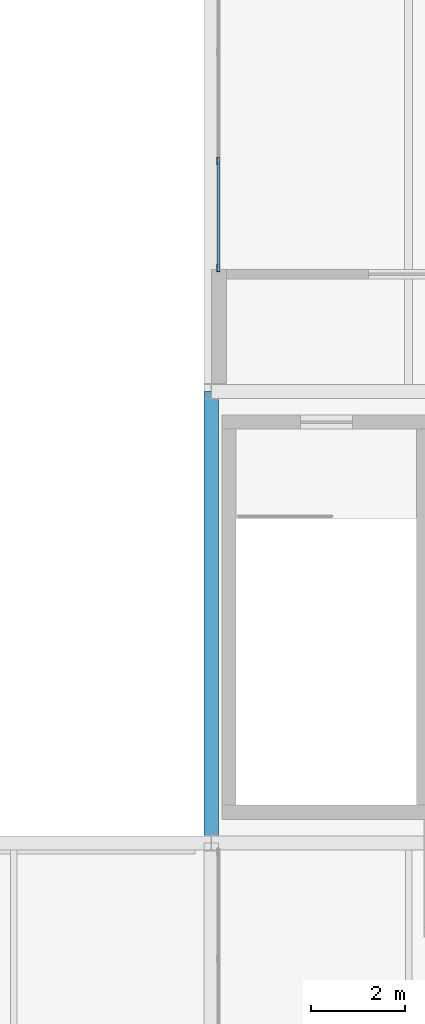
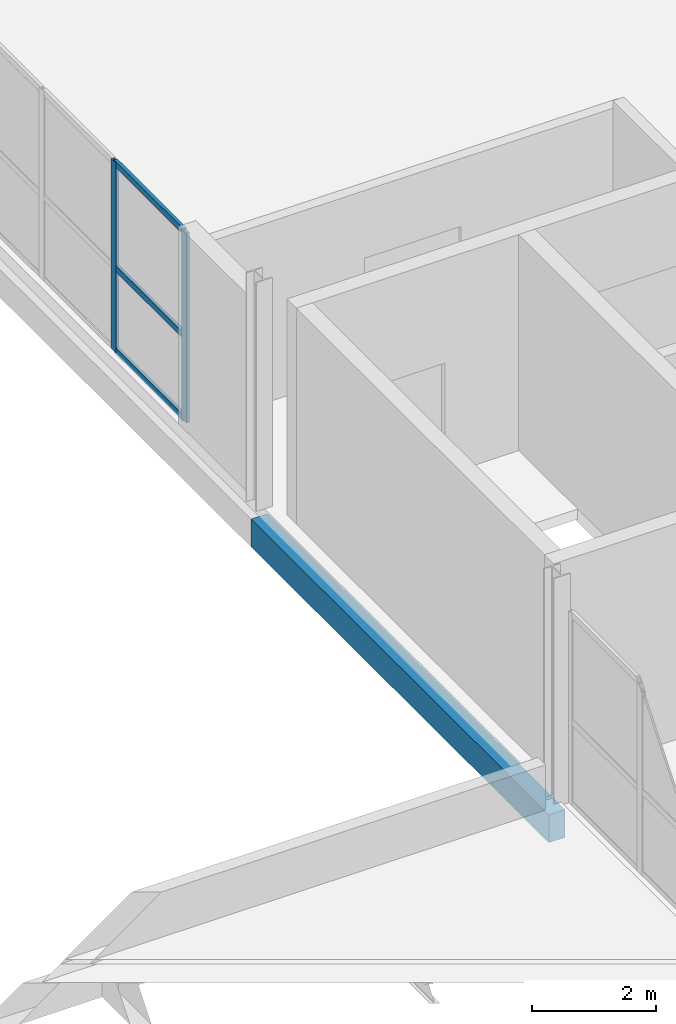
# One storey, part 58 of 103: 5 members, 1 beam, 1 element without a shape of its own.
"""IFC4 building model written with IfcOpenShell, lengths in metres."""

from ifc_helpers import new_model, si_unit, direction, frame, origin, origin_2d, place, context, subcontext, project, spatial, rectangle, hollow_rectangle, extrude, material, material_profile, profile_set, type_object, element, aggregate, save


model = new_model("IFC4")

# Units and contexts
model_context = context("Model", 3, precision=1e-05, world=origin(), true_north=direction((0.0, 1.0)))
body_context = subcontext(model_context, "Body", "Model", "MODEL_VIEW")
ifc_project = project(units=[si_unit("LENGTHUNIT", "METRE"), si_unit("AREAUNIT", "SQUARE_METRE"), si_unit("VOLUMEUNIT", "CUBIC_METRE"), si_unit("PLANEANGLEUNIT", "RADIAN"), si_unit("MASSUNIT", "GRAM", prefix="KILO")], contexts=[model_context])

# Site, building, storey
site_placement = place(None, origin())
site = spatial("IfcSite", under=ifc_project, at=site_placement, CompositionType="ELEMENT")
building_placement = place(site_placement, origin())
building = spatial("IfcBuilding", under=site, at=building_placement, Name="Veltarok Museum of Natural Sciences", CompositionType="ELEMENT")
storey_placement = place(building_placement, frame((0.0, 0.0, 21.89990234375)))
storey = spatial("IfcBuildingStorey", under=building, at=storey_placement, Name="L04", CompositionType="ELEMENT", Elevation=21.89990234375)

# Curtain wall, members
ifc_material_1 = material(Name="Low-iron triple insulated glass", Category="glass")
curtain_wall_type = type_object("IfcCurtainWallType", Name="Curtain Wall System CW-V5CW-L04-3-923x373 (CW-V5CW L04 923x373cm)", PredefinedType="NOTDEFINED", material=ifc_material_1)
curtain_wall_placement = place(storey_placement, origin())
curtain_wall = element("IfcCurtainWall", 1, at=curtain_wall_placement, inside=storey, type_object=curtain_wall_type, Name="Curtain Wall CW-V5CW-L04-3-923x373 CW-0183", PredefinedType="NOTDEFINED")
ifc_material_2 = material(Name="Thermally broken anodised aluminium", Category="aluminium")
ifc_material_profile_1 = material_profile(ifc_material_2, hollow_rectangle(XDim=0.06005859375, YDim=0.1201171875, WallThickness=0.0048828125, at=origin_2d()), Name="CW TRANSOM 60x120x5")
ifc_profile_set_1 = profile_set([ifc_material_profile_1], Name="Thermally broken anodised aluminium")
member_type_1 = type_object("IfcMemberType", Name="Curtain Wall Horizontal Transom 60x120x5", PredefinedType="USERDEFINED", material=ifc_profile_set_1)
member_1_placement = place(storey_placement, frame((132.550048828125, 38.659912109375, 0.028076171875), z_axis=(0.0, 1.0, 0.0), x_axis=(-1.0, 0.0, 0.0)))
member_1 = element("IfcMember", 2, at=member_1_placement, type_object=member_type_1, Name="CW-V5CW-L04-3-923x373 transom 1.1", ObjectType="TRANSOM", PredefinedType="USERDEFINED", context=body_context, shape_type="SweptSolid", body=[
    extrude(hollow_rectangle(XDim=0.06005859375, YDim=0.1201171875, WallThickness=0.0048828125, at=origin_2d()), origin(), (0.0, 0.0, 1.0), 2.217529296875),
])
member_2_placement = place(storey_placement, frame((132.550048828125, 38.659912109375, 1.648193359375), z_axis=(0.0, 1.0, 0.0), x_axis=(-1.0, 0.0, 0.0)))
member_2 = element("IfcMember", 3, at=member_2_placement, type_object=member_type_1, Name="CW-V5CW-L04-3-923x373 transom 1.2", ObjectType="TRANSOM", PredefinedType="USERDEFINED", context=body_context, shape_type="SweptSolid", body=[
    extrude(hollow_rectangle(XDim=0.06005859375, YDim=0.1201171875, WallThickness=0.0048828125, at=origin_2d()), origin(), (0.0, 0.0, 1.0), 2.217529296875),
])
member_3_placement = place(storey_placement, frame((132.550048828125, 38.659912109375, 3.7001953125), z_axis=(0.0, 1.0, 0.0), x_axis=(-1.0, 0.0, 0.0)))
member_3 = element("IfcMember", 4, at=member_3_placement, type_object=member_type_1, Name="CW-V5CW-L04-3-923x373 transom 1.3", ObjectType="TRANSOM", PredefinedType="USERDEFINED", context=body_context, shape_type="SweptSolid", body=[
    extrude(hollow_rectangle(XDim=0.06005859375, YDim=0.1201171875, WallThickness=0.0048828125, at=origin_2d()), origin(), (0.0, 0.0, 1.0), 2.217529296875),
])
ifc_material_profile_2 = material_profile(ifc_material_2, hollow_rectangle(XDim=0.06005859375, YDim=0.159912109375, WallThickness=0.0048828125, at=origin_2d()), Name="CW MULLION 60x160x5")
ifc_profile_set_2 = profile_set([ifc_material_profile_2], Name="Thermally broken anodised aluminium")
member_type_2 = type_object("IfcMemberType", Name="Curtain Wall Vertical Mullion 60x160x5", PredefinedType="MULLION", material=ifc_profile_set_2)
member_4_placement = place(storey_placement, frame((132.550048828125, 38.6298828125, -0.001953125), z_axis=(0.0, 0.0, 1.0), x_axis=(-1.0, 0.0, 0.0)))
member_4 = element("IfcMember", 5, at=member_4_placement, type_object=member_type_2, Name="CW-V5CW-L04-3-923x373 mullion 1", PredefinedType="MULLION", context=body_context, shape_type="SweptSolid", body=[
    extrude(hollow_rectangle(XDim=0.06005859375, YDim=0.159912109375, WallThickness=0.0048828125, at=origin_2d()), origin(), (0.0, 0.0, 1.0), 3.73193359375),
])
member_5_placement = place(storey_placement, frame((132.550048828125, 40.907470703125, -0.001953125), z_axis=(0.0, 0.0, 1.0), x_axis=(-1.0, 0.0, 0.0)))
member_5 = element("IfcMember", 6, at=member_5_placement, type_object=member_type_2, Name="CW-V5CW-L04-3-923x373 mullion 2", PredefinedType="MULLION", context=body_context, shape_type="SweptSolid", body=[
    extrude(hollow_rectangle(XDim=0.06005859375, YDim=0.159912109375, WallThickness=0.0048828125, at=origin_2d()), origin(), (0.0, 0.0, 1.0), 3.73193359375),
])
aggregate(curtain_wall, [member_4, member_5, member_1, member_2, member_3])

# Beam
ifc_material_3 = material(Name="Precast concrete C40/50", Category="concrete")
ifc_material_profile_3 = material_profile(ifc_material_3, rectangle(XDim=0.300048828125, YDim=0.550048828125, at=origin_2d()), Name="RC 300x550")
ifc_profile_set_3 = profile_set([ifc_material_profile_3], Name="Precast concrete C40/50")
beam_type = type_object("IfcBeamType", Name="East Wing Precast Spandrel RC 300x550", PredefinedType="SPANDREL", material=ifc_profile_set_3)
beam_placement = place(storey_placement, frame((132.39990234375, 26.39990234375, -0.52490234375), z_axis=(0.0, 1.0, 0.0), x_axis=(-1.0, 0.0, 0.0)))
element("IfcBeam", 7, at=beam_placement, inside=storey, type_object=beam_type, Name="Beam BM-SP02 L04 16/D-E", PredefinedType="SPANDREL", context=body_context, shape_type="SweptSolid", body=[
    extrude(rectangle(XDim=0.300048828125, YDim=0.550048828125, at=origin_2d()), origin(), (0.0, 0.0, 1.0), 9.60009765625),
])

save(model, "model.ifc")
